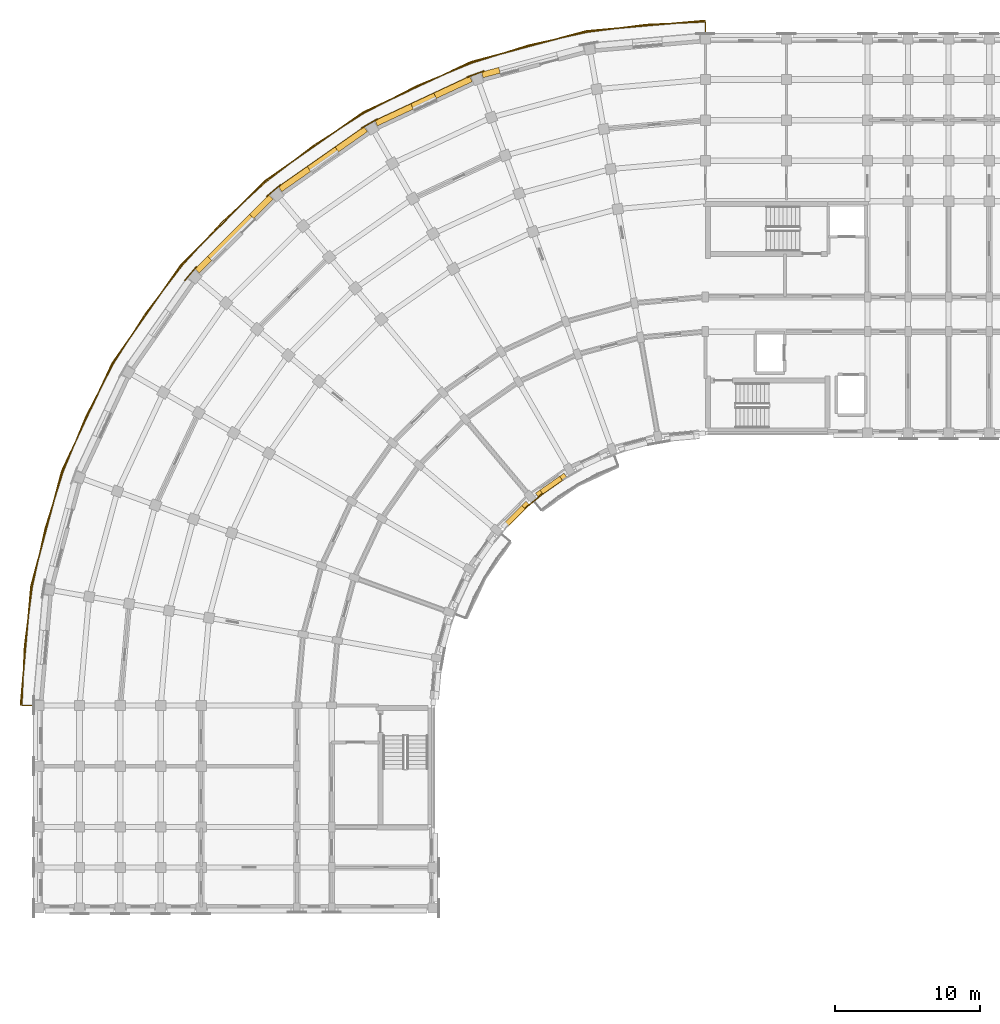
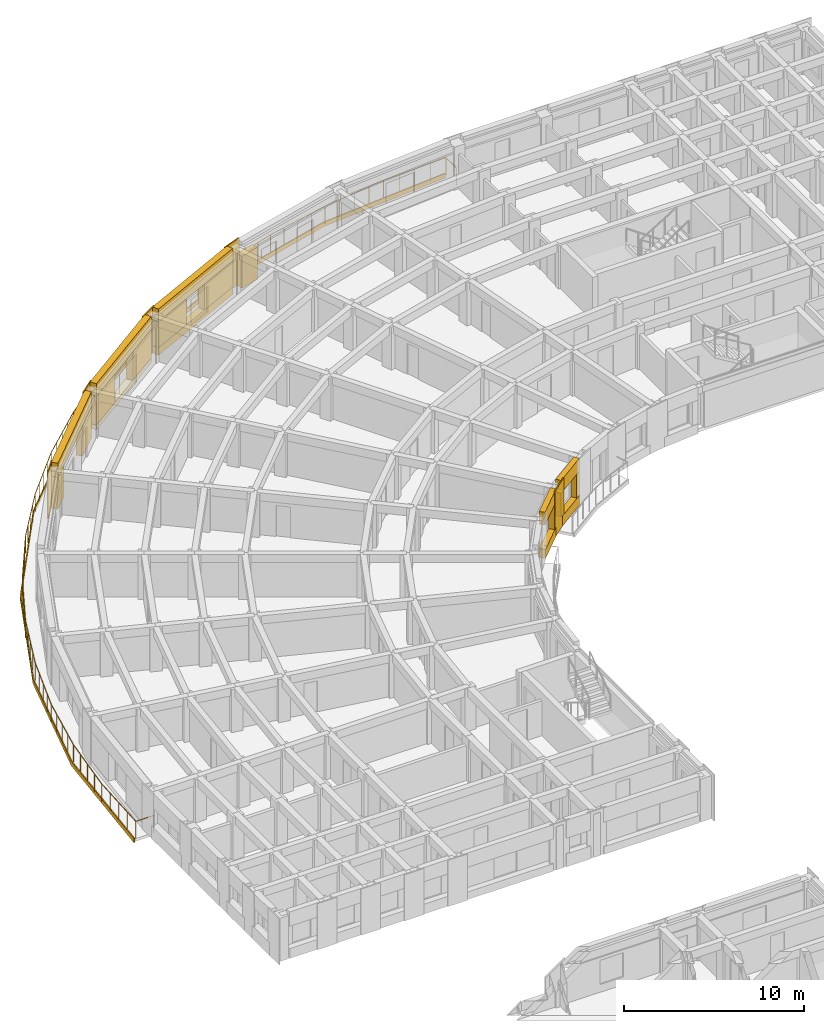
# One storey, part 48 of 57: 25 coverings, 1 railing.
"""IFC4 building model written with IfcOpenShell, lengths in metres."""

from ifc_helpers import new_model, si_unit, direction, frame, origin, origin_2d, place, context, subcontext, project, spatial, polyline, circle, outline, extrude, material, layer, layer_set, type_object, element, save


model = new_model("IFC4")

# Units and contexts
model_context = context("Model", 3, precision=1e-05, world=origin(), true_north=direction((0.0, 1.0)))
body_context = subcontext(model_context, "Body", "Model", "MODEL_VIEW")
ifc_project = project(units=[si_unit("LENGTHUNIT", "METRE"), si_unit("AREAUNIT", "SQUARE_METRE"), si_unit("VOLUMEUNIT", "CUBIC_METRE"), si_unit("PLANEANGLEUNIT", "RADIAN"), si_unit("MASSUNIT", "GRAM", prefix="KILO")], contexts=[model_context])

# Site, building, storey
site_placement = place(None, origin())
site = spatial("IfcSite", under=ifc_project, at=site_placement, CompositionType="ELEMENT")
building_placement = place(site_placement, origin())
building = spatial("IfcBuilding", under=site, at=building_placement, Name="Kiranvali Square Residences", CompositionType="ELEMENT")
storey_placement = place(building_placement, frame((0.0, 0.0, 21.300048828125)))
storey = spatial("IfcBuildingStorey", under=building, at=storey_placement, Name="L06", CompositionType="ELEMENT", Elevation=21.300048828125)

# Coverings
ifc_material_1 = material(Name="Carved Porbandar limestone classical entablature and cornice", Category="masonry")
ifc_layer_1 = layer(ifc_material_1, 0.072021484375)
ifc_layer_set_1 = layer_set([ifc_layer_1], Name="Carved Porbandar limestone classical entablature and cornice")
covering_type_1 = type_object("IfcCoveringType", Name="COV-CLAD-BAL", PredefinedType="CLADDING", material=ifc_layer_set_1)
covering_1_placement = place(storey_placement, frame((0.0, 0.0, -0.239990234375)))
element("IfcCovering", 1, at=covering_1_placement, inside=storey, type_object=covering_type_1, Name="Block A L06 continuous curved limestone balcony fascia", PredefinedType="CLADDING", context=body_context, shape_type="SweptSolid", body=[
    extrude(outline(polyline([(48.199951171875, 135.117919921875), (39.9833984375, 134.399169921875), (32.016357421875, 132.264404296875), (24.541015625, 128.778564453125), (17.78466796875, 124.047607421875), (11.952392578125, 118.21533203125), (7.221435546875, 111.458984375), (3.735595703125, 103.983642578125), (1.600830078125, 96.0166015625), (0.882080078125, 87.800048828125), (0.947998046875, 87.800048828125), (1.665771484375, 96.005126953125), (3.797607421875, 103.961181640625), (7.278564453125, 111.426025390625), (12.0029296875, 118.173095703125), (17.826904296875, 123.9970703125), (24.573974609375, 128.721435546875), (32.038818359375, 132.202392578125), (39.994873046875, 134.334228515625), (48.199951171875, 135.052001953125), (48.199951171875, 135.117919921875)])), origin(), (0.0, 0.0, 1.0), 0.300048828125),
])
ifc_material_2 = material(Name="Honed Porbandar limestone ashlar facade cladding", Category="masonry")
ifc_layer_2 = layer(ifc_material_2, 0.3798828125)
ifc_layer_set_2 = layer_set([ifc_layer_2], Name="Honed Porbandar limestone ashlar facade cladding")
covering_type_2 = type_object("IfcCoveringType", Name="COV-CLAD-JAMB", PredefinedType="CLADDING", material=ifc_layer_set_2)
covering_2_placement = place(storey_placement, origin())
element("IfcCovering", 2, at=covering_2_placement, inside=storey, type_object=covering_type_2, Name="L06 deep limestone window jamb reveal A-L06-CRV-01.R", PredefinedType="CLADDING", context=body_context, shape_type="SweptSolid", body=[
    extrude(outline(polyline([(33.932373046875, 131.843017578125), (32.747314453125, 131.525390625), (32.853271484375, 131.1298828125), (34.038330078125, 131.447265625), (33.932373046875, 131.843017578125)])), origin(), (0.0, 0.0, 1.0), 2.179931640625),
])
covering_3_placement = place(storey_placement, frame((0.0, 0.0, 0.52197265625)))
element("IfcCovering", 3, at=covering_3_placement, inside=storey, type_object=covering_type_2, Name="L06 deep limestone window jamb reveal A-L06-CRV-02.L", PredefinedType="CLADDING", context=body_context, shape_type="SweptSolid", body=[
    extrude(outline(polyline([(31.931396484375, 131.228515625), (29.453369140625, 130.072998046875), (29.626220703125, 129.70166015625), (32.104248046875, 130.857177734375), (31.931396484375, 131.228515625)])), origin(), (0.0, 0.0, 1.0), 1.75),
])
covering_4_placement = place(storey_placement, frame((0.0, 0.0, 0.52197265625)))
element("IfcCovering", 4, at=covering_4_placement, inside=storey, type_object=covering_type_2, Name="L06 deep limestone window jamb reveal A-L06-CRV-02.R", PredefinedType="CLADDING", context=body_context, shape_type="SweptSolid", body=[
    extrude(outline(polyline([(27.8671875, 129.333251953125), (25.38916015625, 128.177734375), (25.562255859375, 127.806640625), (28.040283203125, 128.962158203125), (27.8671875, 129.333251953125)])), origin(), (0.0, 0.0, 1.0), 1.75),
])
covering_5_placement = place(storey_placement, frame((0.0, 0.0, 0.322021484375)))
element("IfcCovering", 5, at=covering_5_placement, inside=storey, type_object=covering_type_2, Name="L06 deep limestone window jamb reveal A-L06-CRV-03.L", PredefinedType="CLADDING", context=body_context, shape_type="SweptSolid", body=[
    extrude(outline(polyline([(24.63720703125, 127.74365234375), (22.643310546875, 126.347412109375), (22.878173828125, 126.011962890625), (24.8720703125, 127.408203125), (24.63720703125, 127.74365234375)])), origin(), (0.0, 0.0, 1.0), 1.949951171875),
])
covering_6_placement = place(storey_placement, frame((0.0, 0.0, 0.322021484375)))
element("IfcCovering", 6, at=covering_6_placement, inside=storey, type_object=covering_type_2, Name="L06 deep limestone window jamb reveal A-L06-CRV-03.R", PredefinedType="CLADDING", context=body_context, shape_type="SweptSolid", body=[
    extrude(outline(polyline([(20.71826171875, 124.99951171875), (18.724365234375, 123.603271484375), (18.959228515625, 123.267822265625), (20.953125, 124.6640625), (20.71826171875, 124.99951171875)])), origin(), (0.0, 0.0, 1.0), 1.949951171875),
])
covering_7_placement = place(storey_placement, origin())
element("IfcCovering", 7, at=covering_7_placement, inside=storey, type_object=covering_type_2, Name="L06 deep limestone window jamb reveal A-L06-CRV-04.L", PredefinedType="CLADDING", context=body_context, shape_type="SweptSolid", body=[
    extrude(outline(polyline([(18.05908203125, 123.045166015625), (16.732177734375, 121.71826171875), (17.021728515625, 121.4287109375), (18.3486328125, 122.755615234375), (18.05908203125, 123.045166015625)])), origin(), (0.0, 0.0, 1.0), 2.179931640625),
])
covering_8_placement = place(storey_placement, origin())
element("IfcCovering", 8, at=covering_8_placement, inside=storey, type_object=covering_type_2, Name="L06 deep limestone window jamb reveal A-L06-CRV-04.R", PredefinedType="CLADDING", context=body_context, shape_type="SweptSolid", body=[
    extrude(outline(polyline([(13.822265625, 118.808349609375), (12.954833984375, 117.94091796875), (13.244384765625, 117.6513671875), (14.11181640625, 118.518798828125), (13.822265625, 118.808349609375)])), origin(), (0.0, 0.0, 1.0), 2.179931640625),
])
covering_9_placement = place(storey_placement, frame((0.0, 0.0, 0.671875)))
element("IfcCovering", 9, at=covering_9_placement, inside=storey, type_object=covering_type_2, Name="L06 deep limestone window jamb reveal A-L06-GDN-03.L", PredefinedType="CLADDING", context=body_context, shape_type="SweptSolid", body=[
    extrude(outline(polyline([(38.43994140625, 103.828369140625), (38.1337890625, 103.6142578125), (38.32861328125, 103.336181640625), (38.634521484375, 103.55029296875), (38.43994140625, 103.828369140625)])), origin(), (0.0, 0.0, 1.0), 1.60009765625),
])
covering_10_placement = place(storey_placement, frame((0.0, 0.0, 0.671875)))
element("IfcCovering", 10, at=covering_10_placement, inside=storey, type_object=covering_type_2, Name="L06 deep limestone window jamb reveal A-L06-GDN-03.R", PredefinedType="CLADDING", context=body_context, shape_type="SweptSolid", body=[
    extrude(outline(polyline([(36.7822265625, 102.66796875), (36.476318359375, 102.45361328125), (36.671142578125, 102.175537109375), (36.97705078125, 102.3896484375), (36.7822265625, 102.66796875)])), origin(), (0.0, 0.0, 1.0), 1.60009765625),
])
covering_11_placement = place(storey_placement, frame((0.0, 0.0, 0.6220703125)))
element("IfcCovering", 11, at=covering_11_placement, inside=storey, type_object=covering_type_2, Name="L06 deep limestone window jamb reveal A-L06-GDN-04.L", PredefinedType="CLADDING", context=body_context, shape_type="SweptSolid", body=[
    extrude(outline(polyline([(35.804931640625, 101.89013671875), (35.52294921875, 101.6083984375), (35.76318359375, 101.368408203125), (36.044921875, 101.650146484375), (35.804931640625, 101.89013671875)])), origin(), (0.0, 0.0, 1.0), 1.64990234375),
])
ifc_layer_3 = layer(ifc_material_2, 0.06494140625)
ifc_layer_set_3 = layer_set([ifc_layer_3], Name="Honed Porbandar limestone ashlar facade cladding")
covering_type_3 = type_object("IfcCoveringType", Name="COV-CLAD-PIER", PredefinedType="CLADDING", material=ifc_layer_set_3)
covering_12_placement = place(storey_placement, frame((0.0, 0.0, 0.0048828125)))
element("IfcCovering", 12, at=covering_12_placement, inside=storey, type_object=covering_type_3, Name="L06 Classical limestone corner pilaster CLAD-PR-A-L06-A02", PredefinedType="CLADDING", context=body_context, shape_type="SweptSolid", body=[
    extrude(outline(polyline([(32.916015625, 131.634033203125), (31.732177734375, 131.203125), (31.755126953125, 131.1396484375), (32.939208984375, 131.57080078125), (32.916015625, 131.634033203125)])), origin(), (0.0, 0.0, 1.0), 3.14013671875),
])
covering_13_placement = place(storey_placement, frame((0.0, 0.0, 0.0048828125)))
element("IfcCovering", 13, at=covering_13_placement, inside=storey, type_object=covering_type_3, Name="L06 Classical limestone corner pilaster CLAD-PR-A-L06-A03", PredefinedType="CLADDING", context=body_context, shape_type="SweptSolid", body=[
    extrude(outline(polyline([(25.53662109375, 128.314208984375), (24.4453125, 127.68408203125), (24.479248046875, 127.625732421875), (25.5703125, 128.255615234375), (25.53662109375, 128.314208984375)])), origin(), (0.0, 0.0, 1.0), 3.14013671875),
])
covering_14_placement = place(storey_placement, frame((0.0, 0.0, 0.0048828125)))
element("IfcCovering", 14, at=covering_14_placement, inside=storey, type_object=covering_type_3, Name="L06 Classical limestone corner pilaster CLAD-PR-A-L06-A04", PredefinedType="CLADDING", context=body_context, shape_type="SweptSolid", body=[
    extrude(outline(polyline([(18.845703125, 123.76318359375), (17.88037109375, 122.953369140625), (17.923828125, 122.901611328125), (18.88916015625, 123.71142578125), (18.845703125, 123.76318359375)])), origin(), (0.0, 0.0, 1.0), 3.14013671875),
])
covering_15_placement = place(storey_placement, frame((0.0, 0.0, 0.0048828125)))
element("IfcCovering", 15, at=covering_15_placement, inside=storey, type_object=covering_type_3, Name="L06 Classical limestone corner pilaster CLAD-PR-A-L06-A05", PredefinedType="CLADDING", context=body_context, shape_type="SweptSolid", body=[
    extrude(outline(polyline([(13.046630859375, 118.11962890625), (12.23681640625, 117.154296875), (12.28857421875, 117.11083984375), (13.098388671875, 118.076171875), (13.046630859375, 118.11962890625)])), origin(), (0.0, 0.0, 1.0), 3.14013671875),
])
ifc_layer_4 = layer(ifc_material_2, 0.050048828125)
ifc_layer_set_4 = layer_set([ifc_layer_4], Name="Honed Porbandar limestone ashlar facade cladding")
covering_type_4 = type_object("IfcCoveringType", Name="COV-CLAD-PIER-IN", PredefinedType="CLADDING", material=ifc_layer_set_4)
covering_16_placement = place(storey_placement, frame((0.0, 0.0, 0.0048828125)))
element("IfcCovering", 16, at=covering_16_placement, inside=storey, type_object=covering_type_4, Name="L06 Classical garden courtyard pilaster CLAD-PRIN-A-L06-A04", PredefinedType="CLADDING", context=body_context, shape_type="SweptSolid", body=[
    extrude(outline(polyline([(35.809814453125, 101.3994140625), (36.958740234375, 102.363525390625), (36.91552734375, 102.415283203125), (35.766357421875, 101.451171875), (35.809814453125, 101.3994140625)])), origin(), (0.0, 0.0, 1.0), 3.14013671875),
])
ifc_layer_5 = layer(ifc_material_2, 0.360107421875)
ifc_layer_set_5 = layer_set([ifc_layer_5], Name="Honed Porbandar limestone ashlar facade cladding")
covering_type_5 = type_object("IfcCoveringType", Name="COV-CLAD-WALL", PredefinedType="CLADDING", material=ifc_layer_set_5)
covering_17_placement = place(storey_placement, frame((0.0, 0.0, 2.27197265625)))
element("IfcCovering", 17, at=covering_17_placement, inside=storey, type_object=covering_type_5, Name="L06 light limestone spandrel lintel A-L06-CRV-02", PredefinedType="CLADDING", context=body_context, shape_type="SweptSolid", body=[
    extrude(outline(polyline([(31.931396484375, 131.228515625), (25.38916015625, 128.177734375), (25.562255859375, 127.806640625), (32.104248046875, 130.857177734375), (31.931396484375, 131.228515625)])), origin(), (0.0, 0.0, 1.0), 0.873046875),
])
covering_18_placement = place(storey_placement, frame((0.0, 0.0, 0.0048828125)))
element("IfcCovering", 18, at=covering_18_placement, inside=storey, type_object=covering_type_5, Name="L06 limestone window sill apron A-L06-CRV-02", PredefinedType="CLADDING", context=body_context, shape_type="SweptSolid", body=[
    extrude(outline(polyline([(31.918701171875, 131.255615234375), (25.37646484375, 128.205078125), (25.562255859375, 127.806640625), (32.104248046875, 130.857177734375), (31.918701171875, 131.255615234375)])), origin(), (0.0, 0.0, 1.0), 0.51708984375),
])
covering_19_placement = place(storey_placement, frame((0.0, 0.0, 2.27197265625)))
element("IfcCovering", 19, at=covering_19_placement, inside=storey, type_object=covering_type_5, Name="L06 light limestone spandrel lintel A-L06-CRV-03", PredefinedType="CLADDING", context=body_context, shape_type="SweptSolid", body=[
    extrude(outline(polyline([(24.63720703125, 127.74365234375), (18.724365234375, 123.603271484375), (18.959228515625, 123.267822265625), (24.8720703125, 127.408203125), (24.63720703125, 127.74365234375)])), origin(), (0.0, 0.0, 1.0), 0.873046875),
])
covering_20_placement = place(storey_placement, frame((0.0, 0.0, 0.0048828125)))
element("IfcCovering", 20, at=covering_20_placement, inside=storey, type_object=covering_type_5, Name="L06 limestone window sill apron A-L06-CRV-03", PredefinedType="CLADDING", context=body_context, shape_type="SweptSolid", body=[
    extrude(outline(polyline([(24.619873046875, 127.76806640625), (18.70703125, 123.6279296875), (18.959228515625, 123.267822265625), (24.8720703125, 127.408203125), (24.619873046875, 127.76806640625)])), origin(), (0.0, 0.0, 1.0), 0.317138671875),
])
covering_21_placement = place(storey_placement, frame((0.0, 0.0, 2.179931640625)))
element("IfcCovering", 21, at=covering_21_placement, inside=storey, type_object=covering_type_5, Name="L06 light limestone spandrel lintel A-L06-CRV-04", PredefinedType="CLADDING", context=body_context, shape_type="SweptSolid", body=[
    extrude(outline(polyline([(18.05908203125, 123.045166015625), (12.954833984375, 117.94091796875), (13.244384765625, 117.6513671875), (18.3486328125, 122.755615234375), (18.05908203125, 123.045166015625)])), origin(), (0.0, 0.0, 1.0), 0.965087890625),
])
covering_22_placement = place(storey_placement, frame((0.0, 0.0, 2.27197265625)))
element("IfcCovering", 22, at=covering_22_placement, inside=storey, type_object=covering_type_5, Name="L06 light limestone spandrel lintel A-L06-GDN-03", PredefinedType="CLADDING", context=body_context, shape_type="SweptSolid", body=[
    extrude(outline(polyline([(38.43994140625, 103.828369140625), (36.476318359375, 102.45361328125), (36.671142578125, 102.175537109375), (38.634521484375, 103.55029296875), (38.43994140625, 103.828369140625)])), origin(), (0.0, 0.0, 1.0), 0.873046875),
])
covering_23_placement = place(storey_placement, frame((0.0, 0.0, 2.27197265625)))
element("IfcCovering", 23, at=covering_23_placement, inside=storey, type_object=covering_type_5, Name="L06 light limestone spandrel lintel A-L06-GDN-04", PredefinedType="CLADDING", context=body_context, shape_type="SweptSolid", body=[
    extrude(outline(polyline([(35.804931640625, 101.89013671875), (34.10986328125, 100.195068359375), (34.349853515625, 99.955078125), (36.044921875, 101.650146484375), (35.804931640625, 101.89013671875)])), origin(), (0.0, 0.0, 1.0), 0.873046875),
])
ifc_layer_6 = layer(ifc_material_2, 0.2900390625)
ifc_layer_set_6 = layer_set([ifc_layer_6], Name="Honed Porbandar limestone ashlar facade cladding")
covering_type_6 = type_object("IfcCoveringType", Name="COV-CLAD-WALL-IN", PredefinedType="CLADDING", material=ifc_layer_set_6)
covering_24_placement = place(storey_placement, frame((0.0, 0.0, 0.0048828125)))
element("IfcCovering", 24, at=covering_24_placement, inside=storey, type_object=covering_type_6, Name="L06 limestone window sill apron A-L06-GDN-03", PredefinedType="CLADDING", context=body_context, shape_type="SweptSolid", body=[
    extrude(outline(polyline([(38.43994140625, 103.828369140625), (36.476318359375, 102.45361328125), (36.688232421875, 102.15087890625), (38.65185546875, 103.52587890625), (38.43994140625, 103.828369140625)])), origin(), (0.0, 0.0, 1.0), 0.6669921875),
])
covering_25_placement = place(storey_placement, frame((0.0, 0.0, 0.0048828125)))
element("IfcCovering", 25, at=covering_25_placement, inside=storey, type_object=covering_type_6, Name="L06 limestone window sill apron A-L06-GDN-04", PredefinedType="CLADDING", context=body_context, shape_type="SweptSolid", body=[
    extrude(outline(polyline([(35.804931640625, 101.89013671875), (34.10986328125, 100.195068359375), (34.37109375, 99.933837890625), (36.066162109375, 101.62890625), (35.804931640625, 101.89013671875)])), origin(), (0.0, 0.0, 1.0), 0.6171875),
])

# Railing
ifc_material_3 = material(Name="Powder-coated architectural bronze balustrade", Category="steel")
railing_type = type_object("IfcRailingType", Name="RL-BAL-GOLD-1200", PredefinedType="BALUSTRADE", material=ifc_material_3)
railing_placement = place(storey_placement, frame((48.199951171875, 133.840087890625, 0.0)))
element("IfcRailing", 26, at=railing_placement, inside=storey, type_object=railing_type, Name="Block A L06 continuous curved corner gold balustrade", PredefinedType="BALUSTRADE", context=body_context, shape_type="SweptSolid", body=[
    extrude(circle(Radius=0.02392578125, at=origin_2d()), frame((0.0, 0.0, 1.17578125), z_axis=(0.0, 1.0, 0.0), x_axis=(-1.0, 0.0, 0.0)), (0.0, 0.0, 1.0), 1.14990234375),
    extrude(circle(Radius=0.02392578125, at=origin_2d()), frame((0.0, 1.14990234375, 1.17578125), z_axis=(-0.999049544955, -0.043589066576, 0.0), x_axis=(0.043589066576, -0.999049544955, 0.0)), (0.0, 0.0, 1.0), 4.11669921875),
    extrude(circle(Radius=0.02392578125, at=origin_2d()), frame((-4.11279296875, 0.970458984375, 1.17578125), z_axis=(-0.991444603928, -0.1305281477, 0.0), x_axis=(0.1305281477, -0.991444603928, 0.0)), (0.0, 0.0, 1.0), 4.11669921875),
    extrude(circle(Radius=0.02392578125, at=origin_2d()), frame((-8.1943359375, 0.43310546875, 1.17578125), z_axis=(-0.976292989924, -0.216453223181, 0.0), x_axis=(0.216453223181, -0.976292989924, 0.0)), (0.0, 0.0, 1.0), 4.116943359375),
    extrude(circle(Radius=0.02392578125, at=origin_2d()), frame((-12.213623046875, -0.4580078125, 1.17578125), z_axis=(-0.953710744932, -0.300725481131, 0.0), x_axis=(0.300725481131, -0.953710744932, 0.0)), (0.0, 0.0, 1.0), 4.116943359375),
    extrude(circle(Radius=0.02392578125, at=origin_2d()), frame((-16.139892578125, -1.696044921875, 1.17578125), z_axis=(-0.923880226262, -0.382681757498, 0.0), x_axis=(0.382681757498, -0.923880226262, 0.0)), (0.0, 0.0, 1.0), 4.116943359375),
    extrude(circle(Radius=0.02392578125, at=origin_2d()), frame((-19.943359375, -3.271484375, 1.17578125), z_axis=(-0.887013781313, -0.461742949877, 0.0), x_axis=(0.461742949877, -0.887013781313, 0.0)), (0.0, 0.0, 1.0), 4.11669921875),
    extrude(circle(Radius=0.02392578125, at=origin_2d()), frame((-23.594970703125, -5.17236328125, 1.17578125), z_axis=(-0.843402550976, -0.537282176335, 0.0), x_axis=(0.537282176335, -0.843402550976, 0.0)), (0.0, 0.0, 1.0), 4.116943359375),
    extrude(circle(Radius=0.02392578125, at=origin_2d()), frame((-27.067138671875, -7.38427734375, 1.17578125), z_axis=(-0.793339967331, -0.608778856594, 0.0), x_axis=(0.608778856594, -0.793339967331, 0.0)), (0.0, 0.0, 1.0), 4.11669921875),
    extrude(circle(Radius=0.02392578125, at=origin_2d()), frame((-30.3330078125, -9.890380859375, 1.17578125), z_axis=(-0.737299356654, -0.675566176386, 0.0), x_axis=(0.675566176386, -0.737299356654, 0.0)), (0.0, 0.0, 1.0), 4.116943359375),
    extrude(circle(Radius=0.02392578125, at=origin_2d()), frame((-33.368408203125, -12.671630859375, 1.17578125), z_axis=(-0.675566176386, -0.737299356654, 0.0), x_axis=(0.737299356654, -0.675566176386, 0.0)), (0.0, 0.0, 1.0), 4.116943359375),
    extrude(circle(Radius=0.02392578125, at=origin_2d()), frame((-36.149658203125, -15.70703125, 1.17578125), z_axis=(-0.608778856594, -0.793339967331, 0.0), x_axis=(0.793339967331, -0.608778856594, 0.0)), (0.0, 0.0, 1.0), 4.11669921875),
    extrude(circle(Radius=0.02392578125, at=origin_2d()), frame((-38.65576171875, -18.972900390625, 1.17578125), z_axis=(-0.537282176335, -0.843402550976, 0.0), x_axis=(0.843402550976, -0.537282176335, 0.0)), (0.0, 0.0, 1.0), 4.116943359375),
    extrude(circle(Radius=0.02392578125, at=origin_2d()), frame((-40.86767578125, -22.445068359375, 1.17578125), z_axis=(-0.461742949877, -0.887013781313, 0.0), x_axis=(0.887013781313, -0.461742949877, 0.0)), (0.0, 0.0, 1.0), 4.11669921875),
    extrude(circle(Radius=0.02392578125, at=origin_2d()), frame((-42.7685546875, -26.0966796875, 1.17578125), z_axis=(-0.382681757498, -0.923880226262, 0.0), x_axis=(0.923880226262, -0.382681757498, 0.0)), (0.0, 0.0, 1.0), 4.116943359375),
    extrude(circle(Radius=0.02392578125, at=origin_2d()), frame((-44.343994140625, -29.900146484375, 1.17578125), z_axis=(-0.300725481131, -0.953710744932, 0.0), x_axis=(0.953710744932, -0.300725481131, 0.0)), (0.0, 0.0, 1.0), 4.116943359375),
    extrude(circle(Radius=0.02392578125, at=origin_2d()), frame((-45.58203125, -33.826416015625, 1.17578125), z_axis=(-0.216453223181, -0.976292989924, 0.0), x_axis=(0.976292989924, -0.216453223181, 0.0)), (0.0, 0.0, 1.0), 4.116943359375),
    extrude(circle(Radius=0.02392578125, at=origin_2d()), frame((-46.47314453125, -37.845703125, 1.17578125), z_axis=(-0.1305281477, -0.991444603928, 0.0), x_axis=(0.991444603928, -0.1305281477, 0.0)), (0.0, 0.0, 1.0), 4.11669921875),
    extrude(circle(Radius=0.02392578125, at=origin_2d()), frame((-47.010498046875, -41.92724609375, 1.17578125), z_axis=(-0.043589066576, -0.999049544955, 0.0), x_axis=(0.999049544955, -0.043589066576, 0.0)), (0.0, 0.0, 1.0), 4.11669921875),
    extrude(circle(Radius=0.02392578125, at=origin_2d()), frame((-47.18994140625, -46.0400390625, 1.17578125), z_axis=(1.0, 0.0, 0.0), x_axis=(0.0, 1.0, 0.0)), (0.0, 0.0, 1.0), 1.14990234375),
    extrude(circle(Radius=0.02099609375, at=origin_2d()), origin(), (0.0, 0.0, 1.0), 1.15185546875),
    extrude(circle(Radius=0.02099609375, at=origin_2d()), frame((0.0, 1.14990234375, 0.0)), (0.0, 0.0, 1.0), 1.15185546875),
    extrude(circle(Radius=0.02099609375, at=origin_2d()), frame((-1.0283203125, 1.10498046875, 0.0)), (0.0, 0.0, 1.0), 1.15185546875),
    extrude(circle(Radius=0.02099609375, at=origin_2d()), frame((-2.056396484375, 1.06005859375, 0.0)), (0.0, 0.0, 1.0), 1.15185546875),
    extrude(circle(Radius=0.02099609375, at=origin_2d()), frame((-3.08447265625, 1.015380859375, 0.0)), (0.0, 0.0, 1.0), 1.15185546875),
    extrude(circle(Radius=0.02099609375, at=origin_2d()), frame((-4.11279296875, 0.970458984375, 0.0)), (0.0, 0.0, 1.0), 1.15185546875),
    extrude(circle(Radius=0.02099609375, at=origin_2d()), frame((-5.13330078125, 0.836181640625, 0.0)), (0.0, 0.0, 1.0), 1.15185546875),
    extrude(circle(Radius=0.02099609375, at=origin_2d()), frame((-6.153564453125, 0.70166015625, 0.0)), (0.0, 0.0, 1.0), 1.15185546875),
    extrude(circle(Radius=0.02099609375, at=origin_2d()), frame((-7.173828125, 0.5673828125, 0.0)), (0.0, 0.0, 1.0), 1.15185546875),
    extrude(circle(Radius=0.02099609375, at=origin_2d()), frame((-8.1943359375, 0.43310546875, 0.0)), (0.0, 0.0, 1.0), 1.15185546875),
    extrude(circle(Radius=0.02099609375, at=origin_2d()), frame((-9.19921875, 0.21044921875, 0.0)), (0.0, 0.0, 1.0), 1.15185546875),
    extrude(circle(Radius=0.02099609375, at=origin_2d()), frame((-10.2041015625, -0.012451171875, 0.0)), (0.0, 0.0, 1.0), 1.15185546875),
    extrude(circle(Radius=0.02099609375, at=origin_2d()), frame((-11.208740234375, -0.2353515625, 0.0)), (0.0, 0.0, 1.0), 1.15185546875),
    extrude(circle(Radius=0.02099609375, at=origin_2d()), frame((-12.213623046875, -0.4580078125, 0.0)), (0.0, 0.0, 1.0), 1.15185546875),
    extrude(circle(Radius=0.02099609375, at=origin_2d()), frame((-13.1953125, -0.767578125, 0.0)), (0.0, 0.0, 1.0), 1.15185546875),
    extrude(circle(Radius=0.02099609375, at=origin_2d()), frame((-14.1767578125, -1.0771484375, 0.0)), (0.0, 0.0, 1.0), 1.15185546875),
    extrude(circle(Radius=0.02099609375, at=origin_2d()), frame((-15.158203125, -1.386474609375, 0.0)), (0.0, 0.0, 1.0), 1.15185546875),
    extrude(circle(Radius=0.02099609375, at=origin_2d()), frame((-16.139892578125, -1.696044921875, 0.0)), (0.0, 0.0, 1.0), 1.15185546875),
    extrude(circle(Radius=0.02099609375, at=origin_2d()), frame((-17.0908203125, -2.08984375, 0.0)), (0.0, 0.0, 1.0), 1.15185546875),
    extrude(circle(Radius=0.02099609375, at=origin_2d()), frame((-18.04150390625, -2.48388671875, 0.0)), (0.0, 0.0, 1.0), 1.15185546875),
    extrude(circle(Radius=0.02099609375, at=origin_2d()), frame((-18.992431640625, -2.877685546875, 0.0)), (0.0, 0.0, 1.0), 1.15185546875),
    extrude(circle(Radius=0.02099609375, at=origin_2d()), frame((-19.943359375, -3.271484375, 0.0)), (0.0, 0.0, 1.0), 1.15185546875),
    extrude(circle(Radius=0.02099609375, at=origin_2d()), frame((-20.856201171875, -3.74658203125, 0.0)), (0.0, 0.0, 1.0), 1.15185546875),
    extrude(circle(Radius=0.02099609375, at=origin_2d()), frame((-21.76904296875, -4.221923828125, 0.0)), (0.0, 0.0, 1.0), 1.15185546875),
    extrude(circle(Radius=0.02099609375, at=origin_2d()), frame((-22.68212890625, -4.697265625, 0.0)), (0.0, 0.0, 1.0), 1.15185546875),
    extrude(circle(Radius=0.02099609375, at=origin_2d()), frame((-23.594970703125, -5.17236328125, 0.0)), (0.0, 0.0, 1.0), 1.15185546875),
    extrude(circle(Radius=0.02099609375, at=origin_2d()), frame((-24.462890625, -5.725341796875, 0.0)), (0.0, 0.0, 1.0), 1.15185546875),
    extrude(circle(Radius=0.02099609375, at=origin_2d()), frame((-25.3310546875, -6.2783203125, 0.0)), (0.0, 0.0, 1.0), 1.15185546875),
    extrude(circle(Radius=0.02099609375, at=origin_2d()), frame((-26.19921875, -6.831298828125, 0.0)), (0.0, 0.0, 1.0), 1.15185546875),
    extrude(circle(Radius=0.02099609375, at=origin_2d()), frame((-27.067138671875, -7.38427734375, 0.0)), (0.0, 0.0, 1.0), 1.15185546875),
    extrude(circle(Radius=0.02099609375, at=origin_2d()), frame((-27.883544921875, -8.0107421875, 0.0)), (0.0, 0.0, 1.0), 1.15185546875),
    extrude(circle(Radius=0.02099609375, at=origin_2d()), frame((-28.7001953125, -8.63720703125, 0.0)), (0.0, 0.0, 1.0), 1.15185546875),
    extrude(circle(Radius=0.02099609375, at=origin_2d()), frame((-29.5166015625, -9.263916015625, 0.0)), (0.0, 0.0, 1.0), 1.15185546875),
    extrude(circle(Radius=0.02099609375, at=origin_2d()), frame((-30.3330078125, -9.890380859375, 0.0)), (0.0, 0.0, 1.0), 1.15185546875),
    extrude(circle(Radius=0.02099609375, at=origin_2d()), frame((-31.091796875, -10.585693359375, 0.0)), (0.0, 0.0, 1.0), 1.15185546875),
    extrude(circle(Radius=0.02099609375, at=origin_2d()), frame((-31.8505859375, -11.281005859375, 0.0)), (0.0, 0.0, 1.0), 1.15185546875),
    extrude(circle(Radius=0.02099609375, at=origin_2d()), frame((-32.609619140625, -11.976318359375, 0.0)), (0.0, 0.0, 1.0), 1.15185546875),
    extrude(circle(Radius=0.02099609375, at=origin_2d()), frame((-33.368408203125, -12.671630859375, 0.0)), (0.0, 0.0, 1.0), 1.15185546875),
    extrude(circle(Radius=0.02099609375, at=origin_2d()), frame((-34.063720703125, -13.430419921875, 0.0)), (0.0, 0.0, 1.0), 1.15185546875),
    extrude(circle(Radius=0.02099609375, at=origin_2d()), frame((-34.759033203125, -14.189453125, 0.0)), (0.0, 0.0, 1.0), 1.15185546875),
    extrude(circle(Radius=0.02099609375, at=origin_2d()), frame((-35.454345703125, -14.9482421875, 0.0)), (0.0, 0.0, 1.0), 1.15185546875),
    extrude(circle(Radius=0.02099609375, at=origin_2d()), frame((-36.149658203125, -15.70703125, 0.0)), (0.0, 0.0, 1.0), 1.15185546875),
    extrude(circle(Radius=0.02099609375, at=origin_2d()), frame((-36.776123046875, -16.5234375, 0.0)), (0.0, 0.0, 1.0), 1.15185546875),
    extrude(circle(Radius=0.02099609375, at=origin_2d()), frame((-37.40283203125, -17.33984375, 0.0)), (0.0, 0.0, 1.0), 1.15185546875),
    extrude(circle(Radius=0.02099609375, at=origin_2d()), frame((-38.029296875, -18.156494140625, 0.0)), (0.0, 0.0, 1.0), 1.15185546875),
    extrude(circle(Radius=0.02099609375, at=origin_2d()), frame((-38.65576171875, -18.972900390625, 0.0)), (0.0, 0.0, 1.0), 1.15185546875),
    extrude(circle(Radius=0.02099609375, at=origin_2d()), frame((-39.208740234375, -19.8408203125, 0.0)), (0.0, 0.0, 1.0), 1.15185546875),
    extrude(circle(Radius=0.02099609375, at=origin_2d()), frame((-39.76171875, -20.708984375, 0.0)), (0.0, 0.0, 1.0), 1.15185546875),
    extrude(circle(Radius=0.02099609375, at=origin_2d()), frame((-40.314697265625, -21.5771484375, 0.0)), (0.0, 0.0, 1.0), 1.15185546875),
    extrude(circle(Radius=0.02099609375, at=origin_2d()), frame((-40.86767578125, -22.445068359375, 0.0)), (0.0, 0.0, 1.0), 1.15185546875),
    extrude(circle(Radius=0.02099609375, at=origin_2d()), frame((-41.3427734375, -23.35791015625, 0.0)), (0.0, 0.0, 1.0), 1.15185546875),
    extrude(circle(Radius=0.02099609375, at=origin_2d()), frame((-41.818115234375, -24.27099609375, 0.0)), (0.0, 0.0, 1.0), 1.15185546875),
    extrude(circle(Radius=0.02099609375, at=origin_2d()), frame((-42.29345703125, -25.183837890625, 0.0)), (0.0, 0.0, 1.0), 1.15185546875),
    extrude(circle(Radius=0.02099609375, at=origin_2d()), frame((-42.7685546875, -26.0966796875, 0.0)), (0.0, 0.0, 1.0), 1.15185546875),
    extrude(circle(Radius=0.02099609375, at=origin_2d()), frame((-43.162353515625, -27.047607421875, 0.0)), (0.0, 0.0, 1.0), 1.15185546875),
    extrude(circle(Radius=0.02099609375, at=origin_2d()), frame((-43.55615234375, -27.99853515625, 0.0)), (0.0, 0.0, 1.0), 1.15185546875),
    extrude(circle(Radius=0.02099609375, at=origin_2d()), frame((-43.9501953125, -28.94921875, 0.0)), (0.0, 0.0, 1.0), 1.15185546875),
    extrude(circle(Radius=0.02099609375, at=origin_2d()), frame((-44.343994140625, -29.900146484375, 0.0)), (0.0, 0.0, 1.0), 1.15185546875),
    extrude(circle(Radius=0.02099609375, at=origin_2d()), frame((-44.653564453125, -30.8818359375, 0.0)), (0.0, 0.0, 1.0), 1.15185546875),
    extrude(circle(Radius=0.02099609375, at=origin_2d()), frame((-44.962890625, -31.86328125, 0.0)), (0.0, 0.0, 1.0), 1.15185546875),
    extrude(circle(Radius=0.02099609375, at=origin_2d()), frame((-45.2724609375, -32.8447265625, 0.0)), (0.0, 0.0, 1.0), 1.15185546875),
    extrude(circle(Radius=0.02099609375, at=origin_2d()), frame((-45.58203125, -33.826416015625, 0.0)), (0.0, 0.0, 1.0), 1.15185546875),
    extrude(circle(Radius=0.02099609375, at=origin_2d()), frame((-45.8046875, -34.831298828125, 0.0)), (0.0, 0.0, 1.0), 1.15185546875),
    extrude(circle(Radius=0.02099609375, at=origin_2d()), frame((-46.027587890625, -35.8359375, 0.0)), (0.0, 0.0, 1.0), 1.15185546875),
    extrude(circle(Radius=0.02099609375, at=origin_2d()), frame((-46.25048828125, -36.8408203125, 0.0)), (0.0, 0.0, 1.0), 1.15185546875),
    extrude(circle(Radius=0.02099609375, at=origin_2d()), frame((-46.47314453125, -37.845703125, 0.0)), (0.0, 0.0, 1.0), 1.15185546875),
    extrude(circle(Radius=0.02099609375, at=origin_2d()), frame((-46.607421875, -38.8662109375, 0.0)), (0.0, 0.0, 1.0), 1.15185546875),
    extrude(circle(Radius=0.02099609375, at=origin_2d()), frame((-46.74169921875, -39.886474609375, 0.0)), (0.0, 0.0, 1.0), 1.15185546875),
    extrude(circle(Radius=0.02099609375, at=origin_2d()), frame((-46.876220703125, -40.90673828125, 0.0)), (0.0, 0.0, 1.0), 1.15185546875),
    extrude(circle(Radius=0.02099609375, at=origin_2d()), frame((-47.010498046875, -41.92724609375, 0.0)), (0.0, 0.0, 1.0), 1.15185546875),
    extrude(circle(Radius=0.02099609375, at=origin_2d()), frame((-47.055419921875, -42.95556640625, 0.0)), (0.0, 0.0, 1.0), 1.15185546875),
    extrude(circle(Radius=0.02099609375, at=origin_2d()), frame((-47.10009765625, -43.983642578125, 0.0)), (0.0, 0.0, 1.0), 1.15185546875),
    extrude(circle(Radius=0.02099609375, at=origin_2d()), frame((-47.14501953125, -45.01171875, 0.0)), (0.0, 0.0, 1.0), 1.15185546875),
    extrude(circle(Radius=0.02099609375, at=origin_2d()), frame((-47.18994140625, -46.0400390625, 0.0)), (0.0, 0.0, 1.0), 1.15185546875),
    extrude(circle(Radius=0.02099609375, at=origin_2d()), frame((-46.0400390625, -46.0400390625, 0.0)), (0.0, 0.0, 1.0), 1.15185546875),
])

save(model, "model.ifc")
